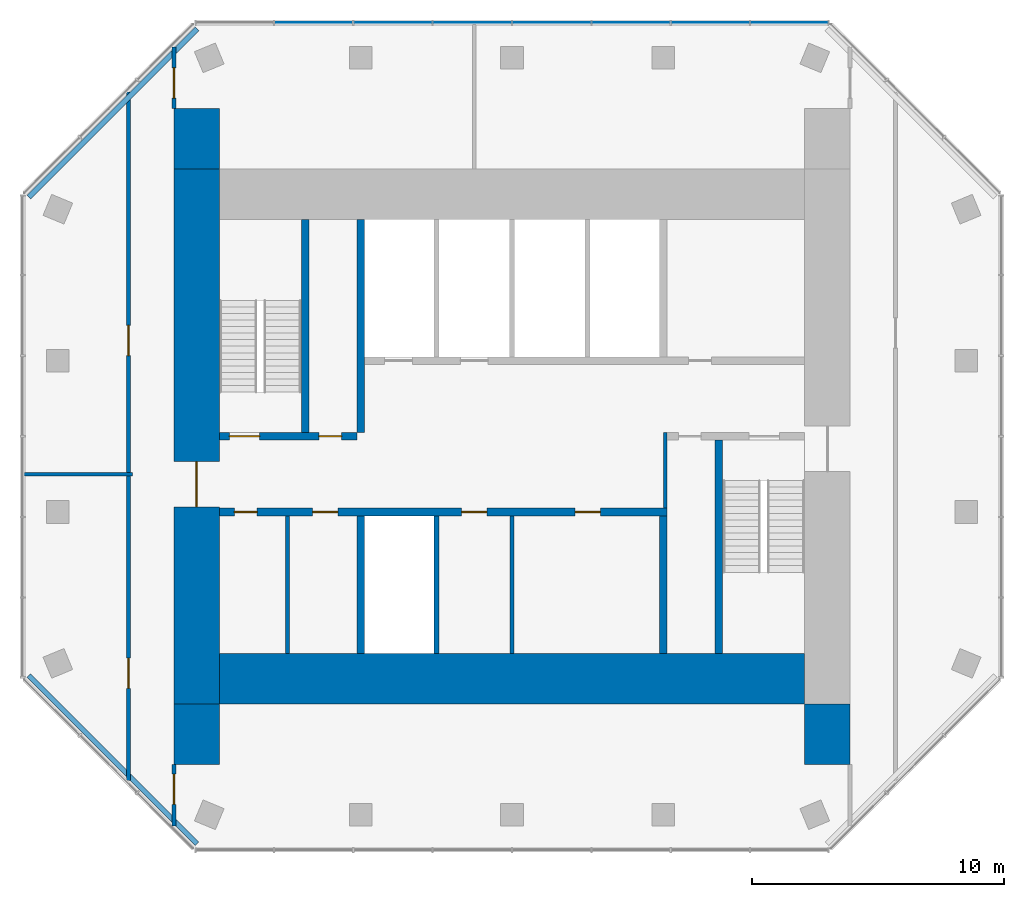
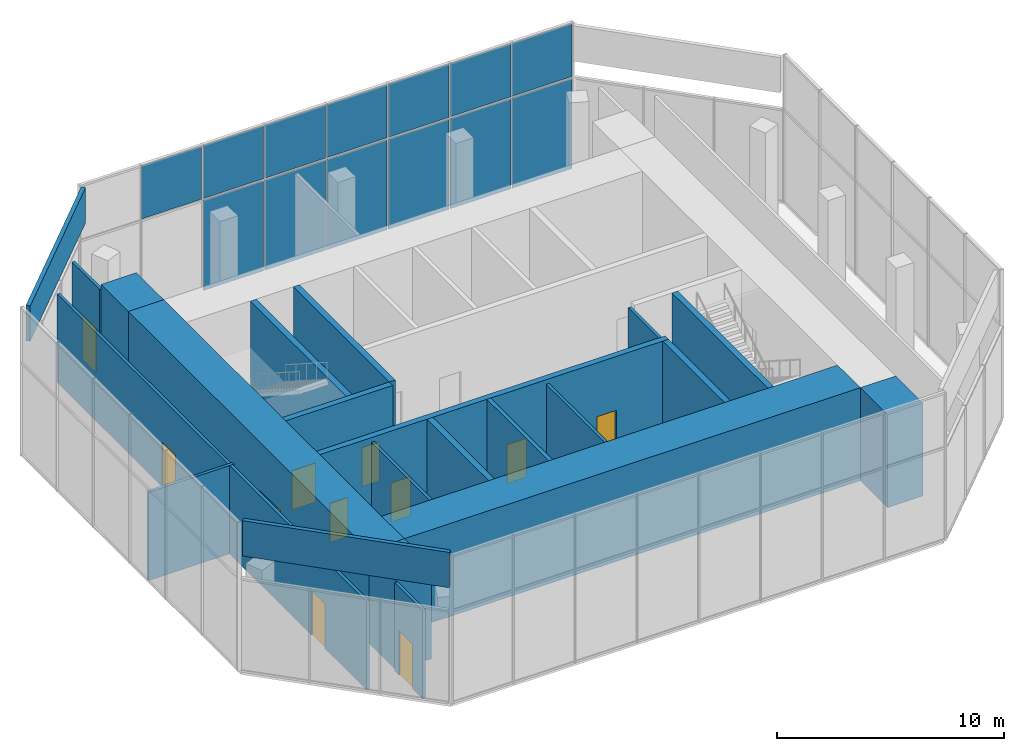
# One storey, part 7 of 9: 23 walls, 13 plates, 11 doors, 11 openings, 1 element without a shape of its own.
"""IFC4 building model written with IfcOpenShell, lengths in metres."""

from ifc_helpers import new_model, si_unit, direction, frame, frame_2d, origin, origin_2d, place, context, subcontext, project, spatial, rectangle, extrude, material, layer, layer_set, type_object, element, fill, aggregate, save


model = new_model("IFC4")

# Units and contexts
model_context = context("Model", 3, precision=1e-05, world=origin(), true_north=direction((0.0, 1.0)))
body_context = subcontext(model_context, "Body", "Model", "MODEL_VIEW")
ifc_project = project(units=[si_unit("LENGTHUNIT", "METRE"), si_unit("AREAUNIT", "SQUARE_METRE"), si_unit("VOLUMEUNIT", "CUBIC_METRE"), si_unit("PLANEANGLEUNIT", "RADIAN"), si_unit("MASSUNIT", "GRAM", prefix="KILO")], contexts=[model_context])

# Site, building, storey
site_placement = place(None, origin())
site = spatial("IfcSite", under=ifc_project, at=site_placement, CompositionType="ELEMENT")
building_placement = place(site_placement, origin())
building = spatial("IfcBuilding", under=site, at=building_placement, Name="Highveld Stack Headquarters", CompositionType="ELEMENT")
storey_placement = place(building_placement, frame((0.0, 0.0, 300.699951171875)))
storey = spatial("IfcBuildingStorey", under=building, at=storey_placement, Name="L74", CompositionType="ELEMENT", Elevation=300.699951171875)

# Curtain wall, plates
ifc_material_1 = material(Name="Aluminium bronze anodised", Category="aluminium")
ifc_layer_1 = layer(ifc_material_1, 0.199951171875)
ifc_layer_set_1 = layer_set([ifc_layer_1], Name="Aluminium bronze anodised")
curtain_wall_type = type_object("IfcCurtainWallType", Name="CW4 LANTERN CURTAIN WALL", PredefinedType="NOTDEFINED", material=ifc_layer_set_1)
curtain_wall_placement = place(storey_placement, origin())
curtain_wall = element("IfcCurtainWall", 1, at=curtain_wall_placement, inside=storey, type_object=curtain_wall_type, Name="Curtain wall CW4 L74 N", PredefinedType="NOTDEFINED")
ifc_material_2 = material(Name="Glass translucent laminated glass", Category="glass")
ifc_layer_2 = layer(ifc_material_2, 0.02197265625)
ifc_layer_set_2 = layer_set([ifc_layer_2], Name="Glass translucent laminated glass")
plate_type = type_object("IfcPlateType", Name="CW4 PANEL TRANSLUCENT LAMINATED GLASS", PredefinedType="CURTAIN_PANEL", material=ifc_layer_set_2)
plate_1_placement = place(storey_placement, frame((16.9912109375, 19.39990234375, 0.10009765625), z_axis=(0.0, 0.0, 1.0), x_axis=(-1.0, 0.0, 0.0)))
plate_1 = element("IfcPlate", 2, at=plate_1_placement, type_object=plate_type, Name="CW4 panel L74 1.1", PredefinedType="CURTAIN_PANEL", context=body_context, shape_type="SweptSolid", body=[
    extrude(rectangle(XDim=3.047607421875, YDim=0.02197265625, at=origin_2d()), origin(), (0.0, 0.0, 1.0), 4.85009765625),
])
plate_2_placement = place(storey_placement, frame((16.9912109375, 19.39990234375, 5.050048828125), z_axis=(0.0, 0.0, 1.0), x_axis=(-1.0, 0.0, 0.0)))
plate_2 = element("IfcPlate", 3, at=plate_2_placement, type_object=plate_type, Name="CW4 panel L74 1.2", PredefinedType="CURTAIN_PANEL", context=body_context, shape_type="SweptSolid", body=[
    extrude(rectangle(XDim=3.047607421875, YDim=0.02197265625, at=origin_2d()), origin(), (0.0, 0.0, 1.0), 2.85009765625),
])
plate_3_placement = place(storey_placement, frame((13.8623046875, 19.39990234375, 0.10009765625), z_axis=(0.0, 0.0, 1.0), x_axis=(-1.0, 0.0, 0.0)))
plate_3 = element("IfcPlate", 4, at=plate_3_placement, type_object=plate_type, Name="CW4 panel L74 2.1", PredefinedType="CURTAIN_PANEL", context=body_context, shape_type="SweptSolid", body=[
    extrude(rectangle(XDim=3.080078125, YDim=0.02197265625, at=origin_2d()), origin(), (0.0, 0.0, 1.0), 4.85009765625),
])
plate_4_placement = place(storey_placement, frame((13.8623046875, 19.39990234375, 5.050048828125), z_axis=(0.0, 0.0, 1.0), x_axis=(-1.0, 0.0, 0.0)))
plate_4 = element("IfcPlate", 5, at=plate_4_placement, type_object=plate_type, Name="CW4 panel L74 2.2", PredefinedType="CURTAIN_PANEL", context=body_context, shape_type="SweptSolid", body=[
    extrude(rectangle(XDim=3.080078125, YDim=0.02197265625, at=origin_2d()), origin(), (0.0, 0.0, 1.0), 2.85009765625),
])
plate_5_placement = place(storey_placement, frame((10.717529296875, 19.39990234375, 0.10009765625), z_axis=(0.0, 0.0, 1.0), x_axis=(-1.0, 0.0, 0.0)))
plate_5 = element("IfcPlate", 6, at=plate_5_placement, type_object=plate_type, Name="CW4 panel L74 3.1", PredefinedType="CURTAIN_PANEL", context=body_context, shape_type="SweptSolid", body=[
    extrude(rectangle(XDim=3.080078125, YDim=0.02197265625, at=origin_2d()), origin(), (0.0, 0.0, 1.0), 4.85009765625),
])
plate_6_placement = place(storey_placement, frame((10.717529296875, 19.39990234375, 5.050048828125), z_axis=(0.0, 0.0, 1.0), x_axis=(-1.0, 0.0, 0.0)))
plate_6 = element("IfcPlate", 7, at=plate_6_placement, type_object=plate_type, Name="CW4 panel L74 3.2", PredefinedType="CURTAIN_PANEL", context=body_context, shape_type="SweptSolid", body=[
    extrude(rectangle(XDim=3.080078125, YDim=0.02197265625, at=origin_2d()), origin(), (0.0, 0.0, 1.0), 2.85009765625),
])
plate_7_placement = place(storey_placement, frame((7.572509765625, 19.39990234375, 0.10009765625), z_axis=(0.0, 0.0, 1.0), x_axis=(-1.0, 0.0, 0.0)))
plate_7 = element("IfcPlate", 8, at=plate_7_placement, type_object=plate_type, Name="CW4 panel L74 4.1", PredefinedType="CURTAIN_PANEL", context=body_context, shape_type="SweptSolid", body=[
    extrude(rectangle(XDim=3.080078125, YDim=0.02197265625, at=origin_2d()), origin(), (0.0, 0.0, 1.0), 4.85009765625),
])
plate_8_placement = place(storey_placement, frame((7.572509765625, 19.39990234375, 5.050048828125), z_axis=(0.0, 0.0, 1.0), x_axis=(-1.0, 0.0, 0.0)))
plate_8 = element("IfcPlate", 9, at=plate_8_placement, type_object=plate_type, Name="CW4 panel L74 4.2", PredefinedType="CURTAIN_PANEL", context=body_context, shape_type="SweptSolid", body=[
    extrude(rectangle(XDim=3.080078125, YDim=0.02197265625, at=origin_2d()), origin(), (0.0, 0.0, 1.0), 2.85009765625),
])
plate_9_placement = place(storey_placement, frame((4.427490234375, 19.39990234375, 0.10009765625), z_axis=(0.0, 0.0, 1.0), x_axis=(-1.0, 0.0, 0.0)))
plate_9 = element("IfcPlate", 10, at=plate_9_placement, type_object=plate_type, Name="CW4 panel L74 5.1", PredefinedType="CURTAIN_PANEL", context=body_context, shape_type="SweptSolid", body=[
    extrude(rectangle(XDim=3.080078125, YDim=0.02197265625, at=origin_2d()), origin(), (0.0, 0.0, 1.0), 4.85009765625),
])
plate_10_placement = place(storey_placement, frame((4.427490234375, 19.39990234375, 5.050048828125), z_axis=(0.0, 0.0, 1.0), x_axis=(-1.0, 0.0, 0.0)))
plate_10 = element("IfcPlate", 11, at=plate_10_placement, type_object=plate_type, Name="CW4 panel L74 5.2", PredefinedType="CURTAIN_PANEL", context=body_context, shape_type="SweptSolid", body=[
    extrude(rectangle(XDim=3.080078125, YDim=0.02197265625, at=origin_2d()), origin(), (0.0, 0.0, 1.0), 2.85009765625),
])
plate_11_placement = place(storey_placement, frame((1.282470703125, 19.39990234375, 0.10009765625), z_axis=(0.0, 0.0, 1.0), x_axis=(-1.0, 0.0, 0.0)))
plate_11 = element("IfcPlate", 12, at=plate_11_placement, type_object=plate_type, Name="CW4 panel L74 6.1", PredefinedType="CURTAIN_PANEL", context=body_context, shape_type="SweptSolid", body=[
    extrude(rectangle(XDim=3.080078125, YDim=0.02197265625, at=origin_2d()), origin(), (0.0, 0.0, 1.0), 4.85009765625),
])
plate_12_placement = place(storey_placement, frame((1.282470703125, 19.39990234375, 5.050048828125), z_axis=(0.0, 0.0, 1.0), x_axis=(-1.0, 0.0, 0.0)))
plate_12 = element("IfcPlate", 13, at=plate_12_placement, type_object=plate_type, Name="CW4 panel L74 6.2", PredefinedType="CURTAIN_PANEL", context=body_context, shape_type="SweptSolid", body=[
    extrude(rectangle(XDim=3.080078125, YDim=0.02197265625, at=origin_2d()), origin(), (0.0, 0.0, 1.0), 2.85009765625),
])
plate_13_placement = place(storey_placement, frame((-1.8623046875, 19.39990234375, 5.050048828125), z_axis=(0.0, 0.0, 1.0), x_axis=(-1.0, 0.0, 0.0)))
plate_13 = element("IfcPlate", 14, at=plate_13_placement, type_object=plate_type, Name="CW4 panel L74 7.2", PredefinedType="CURTAIN_PANEL", context=body_context, shape_type="SweptSolid", body=[
    extrude(rectangle(XDim=3.080078125, YDim=0.02197265625, at=origin_2d()), origin(), (0.0, 0.0, 1.0), 2.85009765625),
])
aggregate(curtain_wall, [plate_1, plate_2, plate_3, plate_4, plate_5, plate_6, plate_7, plate_8, plate_9, plate_10, plate_11, plate_12, plate_13])

# Wall, opening, door
ifc_material_3 = material(Name="Concrete C60/75", Category="concrete")
ifc_layer_3 = layer(ifc_material_3, 1.800048828125)
ifc_layer_set_3 = layer_set([ifc_layer_3], Name="Concrete C60/75")
wall_type_1 = type_object("IfcWallType", Name="CORE WALL 1800 C60/75", PredefinedType="SHEAR", material=ifc_layer_set_3)
wall_1_placement = place(storey_placement, frame((-6.5, -7.60009765625, 0.0), z_axis=(0.0, 0.0, 1.0), x_axis=(0.0, 1.0, 0.0)))
wall_1 = element("IfcWall", 15, at=wall_1_placement, inside=storey, type_object=wall_type_1, Name="Core wall W L74", PredefinedType="SHEAR", context=body_context, shape_type="SweptSolid", body=[
    extrude(rectangle(XDim=21.2001953125, YDim=1.800048828125, at=frame_2d((10.60009765625, 0.0))), origin(), (0.0, 0.0, 1.0), 5.0),
])
opening_1_placement = place(wall_1_placement, frame((7.800048828125, 0.0, 0.0)))
opening_1 = element("IfcOpeningElement", 16, at=opening_1_placement, cuts=wall_1, Name="Opening L74-01", PredefinedType="OPENING", context=body_context, shape_type="SweptSolid", body=[
    extrude(rectangle(XDim=1.800048828125, YDim=2.39990234375, at=frame_2d((0.89990234375, 1.199951171875))), frame((0.0, 0.909912109375, 0.0), z_axis=(0.0, -1.0, 0.0), x_axis=(1.0, 0.0, 0.0)), (0.0, 0.0, 1.0), 1.820068359375),
])
ifc_material_4 = material(Name="Steel fire door", Category="steel")
door_type_1 = type_object("IfcDoorType", Name="LOBBY FIRE DOOR D4 1800x2400", OperationType="DOUBLE_DOOR_SINGLE_SWING", PredefinedType="DOOR", material=ifc_material_4)
door_1_placement = place(opening_1_placement, origin())
door_1 = element("IfcDoor", 17, at=door_1_placement, inside=storey, type_object=door_type_1, Name="Core west door L74", OperationType="DOUBLE_DOOR_SINGLE_SWING", OverallHeight=2.39990234375, OverallWidth=1.800048828125, PredefinedType="DOOR", context=body_context, shape_type="SweptSolid", body=[
    extrude(rectangle(XDim=1.800048828125, YDim=2.39990234375, at=frame_2d((0.89990234375, 1.199951171875))), frame((0.0, 0.02490234375, 0.0), z_axis=(0.0, -1.0, 0.0), x_axis=(1.0, 0.0, 0.0)), (0.0, 0.0, 1.0), 0.050048828125),
])
fill(opening_1, door_1)

# Wall
ifc_material_5 = material(Name="Concrete C60/75", Category="concrete")
ifc_layer_4 = layer(ifc_material_5, 2.0)
ifc_layer_set_4 = layer_set([ifc_layer_4], Name="Concrete C60/75")
wall_type_2 = type_object("IfcWallType", Name="CORE WALL 2000 C60/75", PredefinedType="SHEAR", material=ifc_layer_set_4)
wall_2_placement = place(storey_placement, frame((-5.60009765625, -6.60009765625, 0.0), z_axis=(0.0, 0.0, 1.0), x_axis=(1.0, 0.0, 0.0)))
element("IfcWall", 18, at=wall_2_placement, inside=storey, type_object=wall_type_2, Name="Core wall S L74", PredefinedType="SHEAR", context=body_context, shape_type="SweptSolid", body=[
    extrude(rectangle(XDim=23.2001953125, YDim=2.0, at=frame_2d((11.60009765625, 0.0))), origin(), (0.0, 0.0, 1.0), 5.0),
])

# Wall, openings, doors
ifc_material_6 = material(Name="Concrete C60/75", Category="concrete")
ifc_layer_5 = layer(ifc_material_6, 0.300048828125)
ifc_layer_set_5 = layer_set([ifc_layer_5], Name="Concrete C60/75")
wall_type_3 = type_object("IfcWallType", Name="CORE WALL 300 C60/75", PredefinedType="SHEAR", material=ifc_layer_set_5)
wall_3_placement = place(storey_placement, frame((-5.60009765625, 0.0, 0.0), z_axis=(0.0, 0.0, 1.0), x_axis=(1.0, 0.0, 0.0)))
wall_3 = element("IfcWall", 19, at=wall_3_placement, inside=storey, type_object=wall_type_3, Name="Core wall I-Y0 L74", PredefinedType="SHEAR", context=body_context, shape_type="SweptSolid", body=[
    extrude(rectangle(XDim=17.75, YDim=0.300048828125, at=frame_2d((8.875, 0.0))), origin(), (0.0, 0.0, 1.0), 5.0),
])
opening_2_placement = place(wall_3_placement, frame((0.60009765625, 0.0, 0.0)))
opening_2 = element("IfcOpeningElement", 20, at=opening_2_placement, cuts=wall_3, Name="Opening L74-07", PredefinedType="OPENING", context=body_context, shape_type="SweptSolid", body=[
    extrude(rectangle(XDim=0.89990234375, YDim=2.10009765625, at=frame_2d((0.449951171875, 1.050048828125))), frame((0.0, 0.159912109375, 0.0), z_axis=(0.0, -1.0, 0.0), x_axis=(1.0, 0.0, 0.0)), (0.0, 0.0, 1.0), 0.320068359375),
])
opening_3_placement = place(wall_3_placement, frame((3.699951171875, 0.0, 0.0)))
opening_3 = element("IfcOpeningElement", 21, at=opening_3_placement, cuts=wall_3, Name="Opening L74-08", PredefinedType="OPENING", context=body_context, shape_type="SweptSolid", body=[
    extrude(rectangle(XDim=1.0, YDim=2.10009765625, at=frame_2d((0.5, 1.050048828125))), frame((0.0, 0.159912109375, 0.0), z_axis=(0.0, -1.0, 0.0), x_axis=(1.0, 0.0, 0.0)), (0.0, 0.0, 1.0), 0.320068359375),
])
opening_4_placement = place(wall_3_placement, frame((9.60009765625, 0.0, 0.0)))
opening_4 = element("IfcOpeningElement", 22, at=opening_4_placement, cuts=wall_3, Name="Opening L74-10", PredefinedType="OPENING", context=body_context, shape_type="SweptSolid", body=[
    extrude(rectangle(XDim=1.0, YDim=2.10009765625, at=frame_2d((0.5, 1.050048828125))), frame((0.0, 0.159912109375, 0.0), z_axis=(0.0, -1.0, 0.0), x_axis=(1.0, 0.0, 0.0)), (0.0, 0.0, 1.0), 0.320068359375),
])
opening_5_placement = place(wall_3_placement, frame((14.10009765625, 0.0, 0.0)))
opening_5 = element("IfcOpeningElement", 23, at=opening_5_placement, cuts=wall_3, Name="Opening L74-11", PredefinedType="OPENING", context=body_context, shape_type="SweptSolid", body=[
    extrude(rectangle(XDim=1.0, YDim=2.10009765625, at=frame_2d((0.5, 1.050048828125))), frame((0.0, 0.159912109375, 0.0), z_axis=(0.0, -1.0, 0.0), x_axis=(1.0, 0.0, 0.0)), (0.0, 0.0, 1.0), 0.320068359375),
])
ifc_material_7 = material(Name="Timber door, painted", Category="wood")
door_type_2 = type_object("IfcDoorType", Name="ACCESSIBLE WC DOOR D2 1000x2100", OperationType="SINGLE_SWING_RIGHT", PredefinedType="DOOR", material=ifc_material_7)
door_2_placement = place(opening_3_placement, origin())
door_2 = element("IfcDoor", 24, at=door_2_placement, inside=storey, type_object=door_type_2, Name="Accessible WC door L74", OperationType="SINGLE_SWING_LEFT", OverallHeight=2.10009765625, OverallWidth=1.0, PredefinedType="DOOR", context=body_context, shape_type="SweptSolid", body=[
    extrude(rectangle(XDim=1.0, YDim=2.10009765625, at=frame_2d((0.5, 1.050048828125))), frame((0.0, 0.02490234375, 0.0), z_axis=(0.0, -1.0, 0.0), x_axis=(1.0, 0.0, 0.0)), (0.0, 0.0, 1.0), 0.050048828125),
])
fill(opening_3, door_2)
ifc_material_8 = material(Name="Steel fire door", Category="steel")
door_type_3 = type_object("IfcDoorType", Name="CORE ROOM FIRE DOOR D14 1000x2100", OperationType="SINGLE_SWING_LEFT", PredefinedType="DOOR", material=ifc_material_8)
door_3_placement = place(opening_4_placement, origin())
door_3 = element("IfcDoor", 25, at=door_3_placement, inside=storey, type_object=door_type_3, Name="Capped S 1 door L74", OperationType="SINGLE_SWING_RIGHT", OverallHeight=2.10009765625, OverallWidth=1.0, PredefinedType="DOOR", context=body_context, shape_type="SweptSolid", body=[
    extrude(rectangle(XDim=1.0, YDim=2.10009765625, at=frame_2d((0.5, 1.050048828125))), frame((0.0, 0.02490234375, 0.0), z_axis=(0.0, -1.0, 0.0), x_axis=(1.0, 0.0, 0.0)), (0.0, 0.0, 1.0), 0.050048828125),
])
fill(opening_4, door_3)
door_4_placement = place(opening_5_placement, origin())
door_4 = element("IfcDoor", 26, at=door_4_placement, inside=storey, type_object=door_type_3, Name="Capped S 2 door L74", OperationType="SINGLE_SWING_RIGHT", OverallHeight=2.10009765625, OverallWidth=1.0, PredefinedType="DOOR", context=body_context, shape_type="SweptSolid", body=[
    extrude(rectangle(XDim=1.0, YDim=2.10009765625, at=frame_2d((0.5, 1.050048828125))), frame((0.0, 0.02490234375, 0.0), z_axis=(0.0, -1.0, 0.0), x_axis=(1.0, 0.0, 0.0)), (0.0, 0.0, 1.0), 0.050048828125),
])
fill(opening_5, door_4)
ifc_material_9 = material(Name="Timber door, painted", Category="wood")
door_type_4 = type_object("IfcDoorType", Name="WC DOOR D1 900x2100", OperationType="SINGLE_SWING_LEFT", PredefinedType="DOOR", material=ifc_material_9)
door_5_placement = place(opening_2_placement, origin())
door_5 = element("IfcDoor", 27, at=door_5_placement, inside=storey, type_object=door_type_4, Name="Female WC door L74", OperationType="SINGLE_SWING_LEFT", OverallHeight=2.10009765625, OverallWidth=0.89990234375, PredefinedType="DOOR", context=body_context, shape_type="SweptSolid", body=[
    extrude(rectangle(XDim=0.89990234375, YDim=2.10009765625, at=frame_2d((0.449951171875, 1.050048828125))), frame((0.0, 0.02490234375, 0.0), z_axis=(0.0, -1.0, 0.0), x_axis=(1.0, 0.0, 0.0)), (0.0, 0.0, 1.0), 0.050048828125),
])
fill(opening_2, door_5)

wall_4_placement = place(storey_placement, frame((-5.60009765625, 3.0, 0.0), z_axis=(0.0, 0.0, 1.0), x_axis=(1.0, 0.0, 0.0)))
wall_4 = element("IfcWall", 28, at=wall_4_placement, inside=storey, type_object=wall_type_3, Name="Core wall I-Y3W L74", PredefinedType="SHEAR", context=body_context, shape_type="SweptSolid", body=[
    extrude(rectangle(XDim=5.4501953125, YDim=0.300048828125, at=frame_2d((2.72509765625, 0.0))), origin(), (0.0, 0.0, 1.0), 5.0),
])
opening_6_placement = place(wall_4_placement, frame((0.39990234375, 0.0, 0.0)))
opening_6 = element("IfcOpeningElement", 29, at=opening_6_placement, cuts=wall_4, Name="Opening L74-03", PredefinedType="OPENING", context=body_context, shape_type="SweptSolid", body=[
    extrude(rectangle(XDim=1.199951171875, YDim=2.10009765625, at=frame_2d((0.60009765625, 1.050048828125))), frame((0.0, 0.159912109375, 0.0), z_axis=(0.0, -1.0, 0.0), x_axis=(1.0, 0.0, 0.0)), (0.0, 0.0, 1.0), 0.320068359375),
])
opening_7_placement = place(wall_4_placement, frame((3.949951171875, 0.0, 0.0)))
opening_7 = element("IfcOpeningElement", 30, at=opening_7_placement, cuts=wall_4, Name="Opening L74-04", PredefinedType="OPENING", context=body_context, shape_type="SweptSolid", body=[
    extrude(rectangle(XDim=0.89990234375, YDim=2.10009765625, at=frame_2d((0.449951171875, 1.050048828125))), frame((0.0, 0.159912109375, 0.0), z_axis=(0.0, -1.0, 0.0), x_axis=(1.0, 0.0, 0.0)), (0.0, 0.0, 1.0), 0.320068359375),
])
ifc_material_10 = material(Name="Steel fire door", Category="steel")
door_type_5 = type_object("IfcDoorType", Name="RISER ACCESS DOOR D5 900x2100", OperationType="SINGLE_SWING_LEFT", PredefinedType="DOOR", material=ifc_material_10)
door_6_placement = place(opening_7_placement, origin())
door_6 = element("IfcDoor", 31, at=door_6_placement, inside=storey, type_object=door_type_5, Name="Riser R1 door L74", OperationType="SINGLE_SWING_RIGHT", OverallHeight=2.10009765625, OverallWidth=0.89990234375, PredefinedType="DOOR", context=body_context, shape_type="SweptSolid", body=[
    extrude(rectangle(XDim=0.89990234375, YDim=2.10009765625, at=frame_2d((0.449951171875, 1.050048828125))), frame((0.0, 0.02490234375, 0.0), z_axis=(0.0, -1.0, 0.0), x_axis=(1.0, 0.0, 0.0)), (0.0, 0.0, 1.0), 0.050048828125),
])
fill(opening_7, door_6)
ifc_material_11 = material(Name="Steel fire door", Category="steel")
door_type_6 = type_object("IfcDoorType", Name="STAIR FIRE DOOR D3 1200x2100", OperationType="SINGLE_SWING_LEFT", PredefinedType="DOOR", material=ifc_material_11)
door_7_placement = place(opening_6_placement, origin())
door_7 = element("IfcDoor", 32, at=door_7_placement, inside=storey, type_object=door_type_6, Name="Stair S1 door L74", OperationType="SINGLE_SWING_LEFT", OverallHeight=2.10009765625, OverallWidth=1.199951171875, PredefinedType="DOOR", context=body_context, shape_type="SweptSolid", body=[
    extrude(rectangle(XDim=1.199951171875, YDim=2.10009765625, at=frame_2d((0.60009765625, 1.050048828125))), frame((0.0, 0.02490234375, 0.0), z_axis=(0.0, -1.0, 0.0), x_axis=(1.0, 0.0, 0.0)), (0.0, 0.0, 1.0), 0.050048828125),
])
fill(opening_6, door_7)

# Walls
wall_5_placement = place(storey_placement, frame((0.0, -5.60009765625, 0.0), z_axis=(0.0, 0.0, 1.0), x_axis=(0.0, 1.0, 0.0)))
element("IfcWall", 33, at=wall_5_placement, inside=storey, type_object=wall_type_3, Name="Core wall I-X0S L74", PredefinedType="SHEAR", context=body_context, shape_type="SweptSolid", body=[
    extrude(rectangle(XDim=5.4501953125, YDim=0.300048828125, at=frame_2d((2.72509765625, 0.0))), origin(), (0.0, 0.0, 1.0), 5.0),
])
wall_6_placement = place(storey_placement, frame((0.0, 3.14990234375, 0.0), z_axis=(0.0, 0.0, 1.0), x_axis=(0.0, 1.0, 0.0)))
element("IfcWall", 34, at=wall_6_placement, inside=storey, type_object=wall_type_3, Name="Core wall I-X0N L74", PredefinedType="SHEAR", context=body_context, shape_type="SweptSolid", body=[
    extrude(rectangle(XDim=8.4501953125, YDim=0.300048828125, at=frame_2d((4.22509765625, 0.0))), origin(), (0.0, 0.0, 1.0), 5.0),
])
wall_7_placement = place(storey_placement, frame((12.0, -5.60009765625, 0.0), z_axis=(0.0, 0.0, 1.0), x_axis=(0.0, 1.0, 0.0)))
element("IfcWall", 35, at=wall_7_placement, inside=storey, type_object=wall_type_3, Name="Core wall I-X12S L74", PredefinedType="SHEAR", context=body_context, shape_type="SweptSolid", body=[
    extrude(rectangle(XDim=5.4501953125, YDim=0.300048828125, at=frame_2d((2.72509765625, 0.0))), origin(), (0.0, 0.0, 1.0), 5.0),
])
for number, where, z_axis, x_axis, name in (
    (36, (-2.199951171875, 3.14990234375, 0.0), (0.0, 0.0, 1.0), (0.0, 1.0, 0.0), "Core wall I-RW L74"),
    (37, (14.199951171875, -5.60009765625, 0.0), (0.0, 0.0, 1.0), (0.0, 1.0, 0.0), "Core wall I-RE L74"),
):
    element("IfcWall", number, at=place(storey_placement, frame(where, z_axis=z_axis, x_axis=x_axis)), inside=storey, type_object=wall_type_3, Name=name, PredefinedType="SHEAR", context=body_context, shape_type="SweptSolid", body=[
        extrude(rectangle(XDim=8.4501953125, YDim=0.300048828125, at=frame_2d((4.22509765625, 0.0))), origin(), (0.0, 0.0, 1.0), 5.0),
    ])
ifc_material_12 = material(Name="Concrete C60/75", Category="concrete")
ifc_layer_6 = layer(ifc_material_12, 1.800048828125)
ifc_layer_set_6 = layer_set([ifc_layer_6], Name="Concrete C60/75")
wall_type_4 = type_object("IfcWallType", Name="CORE WING WALL 1800 C60/75", PredefinedType="SHEAR", material=ifc_layer_set_6)
for number, where, z_axis, x_axis, name in (
    (38, (-6.5, -10.0, 0.0), (0.0, 0.0, 1.0), (0.0, 1.0, 0.0), "Core wing wall WS L74"),
    (39, (-6.5, 13.60009765625, 0.0), (0.0, 0.0, 1.0), (0.0, 1.0, 0.0), "Core wing wall WN L74"),
    (40, (18.5, -10.0, 0.0), (0.0, 0.0, 1.0), (0.0, 1.0, 0.0), "Core wing wall ES L74"),
):
    element("IfcWall", number, at=place(storey_placement, frame(where, z_axis=z_axis, x_axis=x_axis)), inside=storey, type_object=wall_type_4, Name=name, PredefinedType="SHEAR", context=body_context, shape_type="SweptSolid", body=[
        extrude(rectangle(XDim=2.39990234375, YDim=1.800048828125, at=frame_2d((1.199951171875, 0.0))), origin(), (0.0, 0.0, 1.0), 5.0),
    ])
ifc_material_13 = material(Name="Concrete blockwork, plastered", Category="masonry")
ifc_layer_7 = layer(ifc_material_13, 0.14990234375)
ifc_layer_set_7 = layer_set([ifc_layer_7], Name="Concrete blockwork, plastered")
wall_type_5 = type_object("IfcWallType", Name="FIRE PARTITION 150 BLOCKWORK", PredefinedType="PARTITIONING", material=ifc_layer_set_7)
wall_8_placement = place(storey_placement, frame((6.0, -5.60009765625, 0.0), z_axis=(0.0, 0.0, 1.0), x_axis=(0.0, 1.0, 0.0)))
element("IfcWall", 41, at=wall_8_placement, inside=storey, type_object=wall_type_5, Name="Core room partition L74", PredefinedType="PARTITIONING", context=body_context, shape_type="SweptSolid", body=[
    extrude(rectangle(XDim=5.4501953125, YDim=0.14990234375, at=frame_2d((2.72509765625, 0.0))), origin(), (0.0, 0.0, 1.0), 4.75),
])
wall_9_placement = place(storey_placement, frame((-13.39990234375, 1.5, 0.0), z_axis=(0.0, 0.0, 1.0), x_axis=(1.0, 0.0, 0.0)))
element("IfcWall", 42, at=wall_9_placement, inside=storey, type_object=wall_type_5, Name="Partition office neighbourhood L74", PredefinedType="PARTITIONING", context=body_context, shape_type="SweptSolid", body=[
    extrude(rectangle(XDim=4.349853515625, YDim=0.14990234375, at=frame_2d((2.1748046875, 0.0))), origin(), (0.0, 0.0, 1.0), 4.75),
])

# Wall, opening, door
wall_10_placement = place(storey_placement, frame((-9.199951171875, -10.638916015625, 0.0), z_axis=(0.0, 0.0, 1.0), x_axis=(0.0, 1.0, 0.0)))
wall_10 = element("IfcWall", 43, at=wall_10_placement, inside=storey, type_object=wall_type_5, Name="Partition office neighbourhood L74", PredefinedType="PARTITIONING", context=body_context, shape_type="SweptSolid", body=[
    extrude(rectangle(XDim=12.06396484375, YDim=0.14990234375, at=frame_2d((6.031982421875, 0.0))), origin(), (0.0, 0.0, 1.0), 4.75),
])
opening_8_placement = place(wall_10_placement, frame((3.64892578125, 0.0, 0.0)))
opening_8 = element("IfcOpeningElement", 44, at=opening_8_placement, cuts=wall_10, Name="Opening L74-12", PredefinedType="OPENING", context=body_context, shape_type="SweptSolid", body=[
    extrude(rectangle(XDim=1.199951171875, YDim=2.39990234375, at=frame_2d((0.60009765625, 1.199951171875))), frame((0.0, 0.0849609375, 0.0), z_axis=(0.0, -1.0, 0.0), x_axis=(1.0, 0.0, 0.0)), (0.0, 0.0, 1.0), 0.169921875),
])
ifc_material_14 = material(Name="Steel fire door", Category="steel")
door_type_7 = type_object("IfcDoorType", Name="PLANT FIRE DOOR D7 1200x2400", OperationType="SINGLE_SWING_LEFT", PredefinedType="DOOR", material=ifc_material_14)
door_8_placement = place(opening_8_placement, origin())
door_8 = element("IfcDoor", 45, at=door_8_placement, inside=storey, type_object=door_type_7, Name="Plant room door L74", OperationType="SINGLE_SWING_LEFT", OverallHeight=2.39990234375, OverallWidth=1.199951171875, PredefinedType="DOOR", context=body_context, shape_type="SweptSolid", body=[
    extrude(rectangle(XDim=1.199951171875, YDim=2.39990234375, at=frame_2d((0.60009765625, 1.199951171875))), frame((0.0, 0.02490234375, 0.0), z_axis=(0.0, -1.0, 0.0), x_axis=(1.0, 0.0, 0.0)), (0.0, 0.0, 1.0), 0.050048828125),
])
fill(opening_8, door_8)

wall_11_placement = place(storey_placement, frame((-9.199951171875, 1.574951171875, 0.0), z_axis=(0.0, 0.0, 1.0), x_axis=(0.0, 1.0, 0.0)))
wall_11 = element("IfcWall", 46, at=wall_11_placement, inside=storey, type_object=wall_type_5, Name="Partition office neighbourhood L74", PredefinedType="PARTITIONING", context=body_context, shape_type="SweptSolid", body=[
    extrude(rectangle(XDim=15.06396484375, YDim=0.14990234375, at=frame_2d((7.531982421875, 0.0))), origin(), (0.0, 0.0, 1.0), 4.75),
])
opening_9_placement = place(wall_11_placement, frame((4.6240234375, 0.0, 0.0)))
opening_9 = element("IfcOpeningElement", 47, at=opening_9_placement, cuts=wall_11, Name="Opening L74-14", PredefinedType="OPENING", context=body_context, shape_type="SweptSolid", body=[
    extrude(rectangle(XDim=1.199951171875, YDim=2.39990234375, at=frame_2d((0.60009765625, 1.199951171875))), frame((0.0, 0.0849609375, 0.0), z_axis=(0.0, -1.0, 0.0), x_axis=(1.0, 0.0, 0.0)), (0.0, 0.0, 1.0), 0.169921875),
])
door_9_placement = place(opening_9_placement, origin())
door_9 = element("IfcDoor", 48, at=door_9_placement, inside=storey, type_object=door_type_7, Name="Plant room door L74", OperationType="SINGLE_SWING_LEFT", OverallHeight=2.39990234375, OverallWidth=1.199951171875, PredefinedType="DOOR", context=body_context, shape_type="SweptSolid", body=[
    extrude(rectangle(XDim=1.199951171875, YDim=2.39990234375, at=frame_2d((0.60009765625, 1.199951171875))), frame((0.0, 0.02490234375, 0.0), z_axis=(0.0, -1.0, 0.0), x_axis=(1.0, 0.0, 0.0)), (0.0, 0.0, 1.0), 0.050048828125),
])
fill(opening_9, door_9)

wall_12_placement = place(storey_placement, frame((-7.39990234375, -10.0, 0.0), z_axis=(0.0, 0.0, 1.0), x_axis=(0.0, -1.0, 0.0)))
wall_12 = element("IfcWall", 49, at=wall_12_placement, inside=storey, type_object=wall_type_5, Name="Partition office neighbourhood L74", PredefinedType="PARTITIONING", context=body_context, shape_type="SweptSolid", body=[
    extrude(rectangle(XDim=2.43896484375, YDim=0.14990234375, at=frame_2d((1.219482421875, 0.0))), origin(), (0.0, 0.0, 1.0), 4.75),
])
opening_10_placement = place(wall_12_placement, frame((0.388916015625, 0.0, 0.0)))
opening_10 = element("IfcOpeningElement", 50, at=opening_10_placement, cuts=wall_12, Name="Opening L74-15", PredefinedType="OPENING", context=body_context, shape_type="SweptSolid", body=[
    extrude(rectangle(XDim=1.199951171875, YDim=2.39990234375, at=frame_2d((0.60009765625, 1.199951171875))), frame((0.0, 0.0849609375, 0.0), z_axis=(0.0, -1.0, 0.0), x_axis=(1.0, 0.0, 0.0)), (0.0, 0.0, 1.0), 0.169921875),
])
door_10_placement = place(opening_10_placement, origin())
door_10 = element("IfcDoor", 51, at=door_10_placement, inside=storey, type_object=door_type_7, Name="Plant room door L74", OperationType="SINGLE_SWING_LEFT", OverallHeight=2.39990234375, OverallWidth=1.199951171875, PredefinedType="DOOR", context=body_context, shape_type="SweptSolid", body=[
    extrude(rectangle(XDim=1.199951171875, YDim=2.39990234375, at=frame_2d((0.60009765625, 1.199951171875))), frame((0.0, 0.02490234375, 0.0), z_axis=(0.0, -1.0, 0.0), x_axis=(1.0, 0.0, 0.0)), (0.0, 0.0, 1.0), 0.050048828125),
])
fill(opening_10, door_10)

wall_13_placement = place(storey_placement, frame((-7.39990234375, 18.43896484375, 0.0), z_axis=(0.0, 0.0, 1.0), x_axis=(0.0, -1.0, 0.0)))
wall_13 = element("IfcWall", 52, at=wall_13_placement, inside=storey, type_object=wall_type_5, Name="Partition office neighbourhood L74", PredefinedType="PARTITIONING", context=body_context, shape_type="SweptSolid", body=[
    extrude(rectangle(XDim=2.43896484375, YDim=0.14990234375, at=frame_2d((1.219482421875, 0.0))), origin(), (0.0, 0.0, 1.0), 4.75),
])
opening_11_placement = place(wall_13_placement, frame((0.839111328125, 0.0, 0.0)))
opening_11 = element("IfcOpeningElement", 53, at=opening_11_placement, cuts=wall_13, Name="Opening L74-17", PredefinedType="OPENING", context=body_context, shape_type="SweptSolid", body=[
    extrude(rectangle(XDim=1.199951171875, YDim=2.39990234375, at=frame_2d((0.60009765625, 1.199951171875))), frame((0.0, 0.0849609375, 0.0), z_axis=(0.0, -1.0, 0.0), x_axis=(1.0, 0.0, 0.0)), (0.0, 0.0, 1.0), 0.169921875),
])
door_11_placement = place(opening_11_placement, origin())
door_11 = element("IfcDoor", 54, at=door_11_placement, inside=storey, type_object=door_type_7, Name="Plant room door L74", OperationType="SINGLE_SWING_RIGHT", OverallHeight=2.39990234375, OverallWidth=1.199951171875, PredefinedType="DOOR", context=body_context, shape_type="SweptSolid", body=[
    extrude(rectangle(XDim=1.199951171875, YDim=2.39990234375, at=frame_2d((0.60009765625, 1.199951171875))), frame((0.0, 0.02490234375, 0.0), z_axis=(0.0, -1.0, 0.0), x_axis=(1.0, 0.0, 0.0)), (0.0, 0.0, 1.0), 0.050048828125),
])
fill(opening_11, door_11)

# Walls
wall_14_placement = place(storey_placement, frame((12.074951171875, 0.14990234375, 0.0), z_axis=(0.0, 0.0, 1.0), x_axis=(0.0, 1.0, 0.0)))
element("IfcWall", 55, at=wall_14_placement, inside=storey, type_object=wall_type_5, Name="Riser R2 enclosure L74", PredefinedType="PARTITIONING", context=body_context, shape_type="SweptSolid", body=[
    extrude(rectangle(XDim=3.0, YDim=0.14990234375, at=frame_2d((1.5, 0.0))), origin(), (0.0, 0.0, 1.0), 4.75),
])
ifc_material_15 = material(Name="Concrete blockwork, fair-faced", Category="masonry")
ifc_layer_8 = layer(ifc_material_15, 0.199951171875)
ifc_layer_set_8 = layer_set([ifc_layer_8], Name="Concrete blockwork, fair-faced")
wall_type_6 = type_object("IfcWallType", Name="LIFT SHAFT ENCLOSURE WALL 200 BLOCKWORK", PredefinedType="SOLIDWALL", material=ifc_layer_set_8)
wall_15_placement = place(storey_placement, frame((3.0, -5.60009765625, 0.0), z_axis=(0.0, 0.0, 1.0), x_axis=(0.0, 1.0, 0.0)))
element("IfcWall", 56, at=wall_15_placement, inside=storey, type_object=wall_type_6, Name="Lift shaft wall L74", PredefinedType="SOLIDWALL", context=body_context, shape_type="SweptSolid", body=[
    extrude(rectangle(XDim=5.4501953125, YDim=0.199951171875, at=frame_2d((2.72509765625, 0.0))), origin(), (0.0, 0.0, 1.0), 5.0),
])
ifc_material_16 = material(Name="Concrete C40/50, precast cladding", Category="concrete")
ifc_layer_9 = layer(ifc_material_16, 0.199951171875)
ifc_layer_set_9 = layer_set([ifc_layer_9], Name="Concrete C40/50, precast cladding")
wall_type_7 = type_object("IfcWallType", Name="PRECAST LANTERN CORNER WALL 200", PredefinedType="USERDEFINED", material=ifc_layer_set_9)
for number, where, z_axis, x_axis, name in (
    (57, (-13.14990234375, 12.476318359375, 6.10009765625), (0.0, 0.0, 1.0), (0.707106781187, 0.707106781187, 0.0), "Precast lantern corner wall L74 NW"),
    (58, (-6.476318359375, -13.14990234375, 6.10009765625), (0.0, 0.0, 1.0), (-0.707106781187, 0.707106781187, 0.0), "Precast lantern corner wall L74 SW"),
):
    element("IfcWall", number, at=place(storey_placement, frame(where, z_axis=z_axis, x_axis=x_axis)), inside=storey, type_object=wall_type_7, Name=name, ObjectType="PRECAST CLADDING", PredefinedType="USERDEFINED", context=body_context, shape_type="SweptSolid", body=[
        extrude(rectangle(XDim=9.43798828125, YDim=0.199951171875, at=frame_2d((4.718994140625, 0.0))), origin(), (0.0, 0.0, 1.0), 1.89990234375),
    ])
ifc_material_17 = material(Name="Concrete blockwork, tiled", Category="masonry")
ifc_layer_10 = layer(ifc_material_17, 0.14990234375)
ifc_layer_set_10 = layer_set([ifc_layer_10], Name="Concrete blockwork, tiled")
wall_type_8 = type_object("IfcWallType", Name="WC PARTITION 150", PredefinedType="PLUMBINGWALL", material=ifc_layer_set_10)
wall_16_placement = place(storey_placement, frame((-2.89990234375, -5.60009765625, 0.0), z_axis=(0.0, 0.0, 1.0), x_axis=(0.0, 1.0, 0.0)))
element("IfcWall", 59, at=wall_16_placement, inside=storey, type_object=wall_type_8, Name="Toilet partition L74", PredefinedType="PLUMBINGWALL", context=body_context, shape_type="SweptSolid", body=[
    extrude(rectangle(XDim=5.4501953125, YDim=0.14990234375, at=frame_2d((2.72509765625, 0.0))), origin(), (0.0, 0.0, 1.0), 4.75),
])

save(model, "model.ifc")
